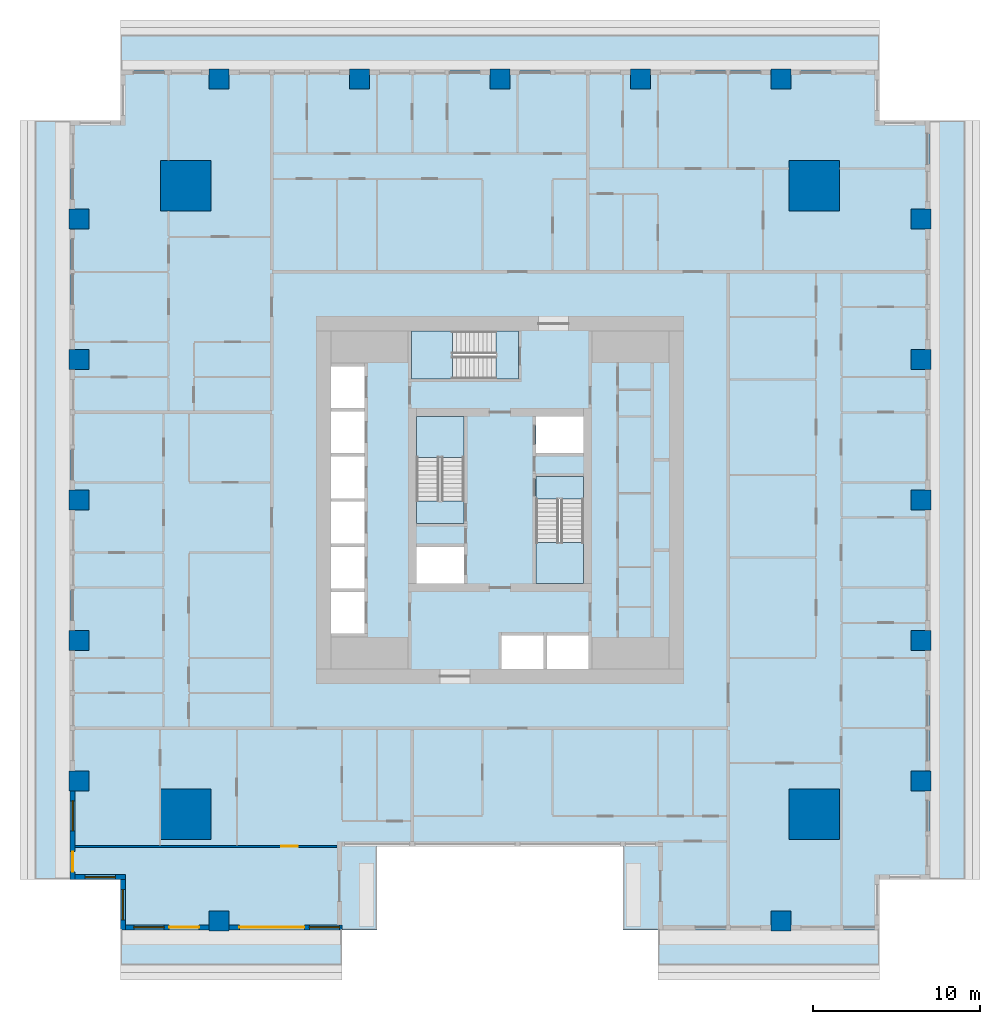
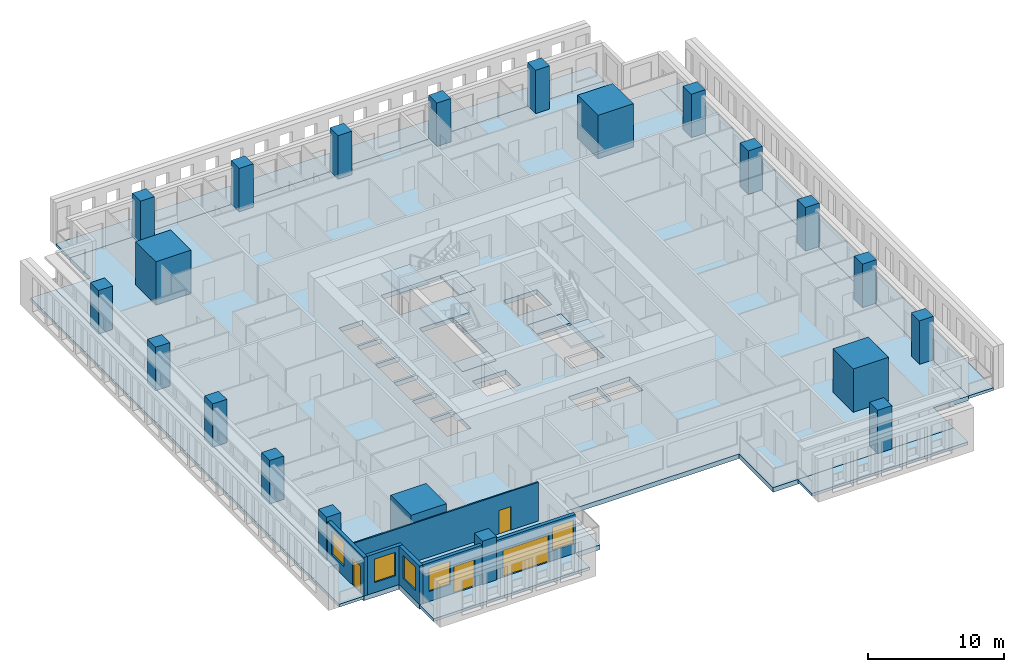
# One storey, part 1 of 15: 21 columns, 12 slabs, 6 walls, 5 windows, 4 doors, 9 openings, 3 elements without a shape of their own.
"""IFC4 building model written with IfcOpenShell, lengths in metres."""

from ifc_helpers import new_model, si_unit, direction, frame, frame_2d, origin, origin_2d, place, context, subcontext, project, spatial, polyline, rectangle, outline, extrude, material, layer, layer_set, material_profile, profile_set, type_object, element, fill, aggregate, save


model = new_model("IFC4")

# Units and contexts
model_context = context("Model", 3, precision=1e-05, world=origin(), true_north=direction((0.0, 1.0)))
body_context = subcontext(model_context, "Body", "Model", "MODEL_VIEW")
ifc_project = project(units=[si_unit("LENGTHUNIT", "METRE"), si_unit("AREAUNIT", "SQUARE_METRE"), si_unit("VOLUMEUNIT", "CUBIC_METRE"), si_unit("PLANEANGLEUNIT", "RADIAN"), si_unit("MASSUNIT", "GRAM", prefix="KILO")], contexts=[model_context])

# Site, building, storey
site_placement = place(None, origin())
site = spatial("IfcSite", under=ifc_project, at=site_placement, CompositionType="ELEMENT")
building_placement = place(site_placement, origin())
building = spatial("IfcBuilding", under=site, at=building_placement, Name="Khepri Terraces", CompositionType="ELEMENT")
storey_placement = place(building_placement, frame((0.0, 0.0, 50.39990234375)))
storey = spatial("IfcBuildingStorey", under=building, at=storey_placement, Name="L11", CompositionType="ELEMENT", Elevation=50.39990234375)

# Columns
ifc_material_1 = material(Name="Concrete C80/95", Category="concrete")
ifc_material_profile_1 = material_profile(ifc_material_1, rectangle(XDim=3.0, YDim=3.0, at=origin_2d()), Name="Concrete C80/95", Category="concrete")
ifc_profile_set_1 = profile_set([ifc_material_profile_1], Name="Concrete C80/95")
column_type_1 = type_object("IfcColumnType", Name="Mega column RC 3000x3000 C80/95", PredefinedType="COLUMN", material=ifc_profile_set_1)
for number, where, z_axis, x_axis, name in (
    (1, (18.800048828125, 18.800048828125, 0.0), (0.0, 0.0, 1.0), (1.0, 0.0, 0.0), "Mega column MEN L11"),
    (2, (18.800048828125, -18.800048828125, 0.0), (0.0, 0.0, 1.0), (1.0, 0.0, 0.0), "Mega column MES L11"),
    (3, (-18.800048828125, 18.800048828125, 0.0), (0.0, 0.0, 1.0), (1.0, 0.0, 0.0), "Mega column MWN L11"),
    (4, (-18.800048828125, -18.800048828125, 0.0), (0.0, 0.0, 1.0), (1.0, 0.0, 0.0), "Mega column MWS L11"),
):
    element("IfcColumn", number, at=place(storey_placement, frame(where, z_axis=z_axis, x_axis=x_axis)), inside=storey, type_object=column_type_1, Name=name, PredefinedType="COLUMN", context=body_context, shape_type="SweptSolid", body=[
        extrude(rectangle(XDim=3.0, YDim=3.0, at=origin_2d()), origin(), (0.0, 0.0, 1.0), 3.900146484375),
    ])
ifc_material_profile_2 = material_profile(ifc_material_1, rectangle(XDim=1.199951171875, YDim=1.199951171875, at=origin_2d()), Name="Concrete C80/95", Category="concrete")
ifc_profile_set_2 = profile_set([ifc_material_profile_2], Name="Concrete C80/95")
column_type_2 = type_object("IfcColumnType", Name="Tower column RC 1200x1200 C80/95", PredefinedType="COLUMN", material=ifc_profile_set_2)
for number, where, z_axis, x_axis, name in (
    (5, (25.199951171875, 0.0, 0.0), (0.0, 0.0, 1.0), (1.0, 0.0, 0.0), "Perimeter column PE+000a L11"),
    (6, (25.199951171875, 8.39990234375, 0.0), (0.0, 0.0, 1.0), (1.0, 0.0, 0.0), "Perimeter column PE+084a L11"),
    (7, (25.199951171875, 16.800048828125, 0.0), (0.0, 0.0, 1.0), (1.0, 0.0, 0.0), "Perimeter column PE+168a L11"),
    (8, (25.199951171875, -8.39990234375, 0.0), (0.0, 0.0, 1.0), (1.0, 0.0, 0.0), "Perimeter column PE-084a L11"),
    (9, (25.199951171875, -16.800048828125, 0.0), (0.0, 0.0, 1.0), (1.0, 0.0, 0.0), "Perimeter column PE-168a L11"),
    (10, (0.0, 25.199951171875, 0.0), (0.0, 0.0, 1.0), (1.0, 0.0, 0.0), "Perimeter column PN+000a L11"),
    (11, (-8.39990234375, 25.199951171875, 0.0), (0.0, 0.0, 1.0), (1.0, 0.0, 0.0), "Perimeter column PN+084a L11"),
    (12, (-16.800048828125, 25.199951171875, 0.0), (0.0, 0.0, 1.0), (1.0, 0.0, 0.0), "Perimeter column PN+168a L11"),
    (13, (8.39990234375, 25.199951171875, 0.0), (0.0, 0.0, 1.0), (1.0, 0.0, 0.0), "Perimeter column PN-084a L11"),
    (14, (16.800048828125, 25.199951171875, 0.0), (0.0, 0.0, 1.0), (1.0, 0.0, 0.0), "Perimeter column PN-168a L11"),
    (15, (16.800048828125, -25.199951171875, 0.0), (0.0, 0.0, 1.0), (1.0, 0.0, 0.0), "Perimeter column PS+168a L11"),
    (16, (-16.800048828125, -25.199951171875, 0.0), (0.0, 0.0, 1.0), (1.0, 0.0, 0.0), "Perimeter column PS-168a L11"),
    (17, (-25.199951171875, 0.0, 0.0), (0.0, 0.0, 1.0), (1.0, 0.0, 0.0), "Perimeter column PW+000a L11"),
    (18, (-25.199951171875, -8.39990234375, 0.0), (0.0, 0.0, 1.0), (1.0, 0.0, 0.0), "Perimeter column PW+084a L11"),
    (19, (-25.199951171875, -16.800048828125, 0.0), (0.0, 0.0, 1.0), (1.0, 0.0, 0.0), "Perimeter column PW+168a L11"),
    (20, (-25.199951171875, 8.39990234375, 0.0), (0.0, 0.0, 1.0), (1.0, 0.0, 0.0), "Perimeter column PW-084a L11"),
    (21, (-25.199951171875, 16.800048828125, 0.0), (0.0, 0.0, 1.0), (1.0, 0.0, 0.0), "Perimeter column PW-168a L11"),
):
    element("IfcColumn", number, at=place(storey_placement, frame(where, z_axis=z_axis, x_axis=x_axis)), inside=storey, type_object=column_type_2, Name=name, PredefinedType="COLUMN", context=body_context, shape_type="SweptSolid", body=[
        extrude(rectangle(XDim=1.199951171875, YDim=1.199951171875, at=origin_2d()), origin(), (0.0, 0.0, 1.0), 3.900146484375),
    ])

# Slabs
ifc_material_2 = material(Name="Concrete C40/50", Category="concrete")
ifc_layer_1 = layer(ifc_material_2, 0.419921875, Name="Concrete C40/50", Category="concrete")
ifc_layer_set_1 = layer_set([ifc_layer_1], Name="Concrete C40/50")
slab_type_1 = type_object("IfcSlabType", Name="Flat plate 420", PredefinedType="FLOOR", material=ifc_layer_set_1)
slab_1_placement = place(storey_placement, frame((0.0, 0.0, -0.419921875)))
element("IfcSlab", 22, at=slab_1_placement, inside=storey, type_object=slab_type_1, Name="Floor slab F01 L11", PredefinedType="FLOOR", context=body_context, shape_type="SweptSolid", body=[
    extrude(outline(polyline([(22.719970703125, -25.719970703125), (9.449951171875, -25.719970703125), (7.35009765625, -25.719970703125), (7.35009765625, -20.719970703125), (-7.35009765625, -20.719970703125), (-7.35009765625, -25.719970703125), (-9.449951171875, -25.719970703125), (-22.719970703125, -25.719970703125), (-22.719970703125, -22.719970703125), (-25.719970703125, -22.719970703125), (-25.719970703125, 22.719970703125), (-22.719970703125, 22.719970703125), (-22.719970703125, 25.719970703125), (22.719970703125, 25.719970703125), (22.719970703125, 22.719970703125), (25.719970703125, 22.719970703125), (25.719970703125, -22.719970703125), (22.719970703125, -22.719970703125), (22.719970703125, -25.719970703125)]), holes=[polyline([(5.0, 5.0), (2.14990234375, 5.0), (2.14990234375, 2.800048828125), (5.0, 2.800048828125), (5.0, 5.0)]), polyline([(-2.14990234375, -5.0), (-2.14990234375, -2.800048828125), (-5.0, -2.800048828125), (-5.0, -5.0), (-2.14990234375, -5.0)]), polyline([(-10.10009765625, -8.0), (-8.10009765625, -8.0), (-8.10009765625, -5.5), (-10.10009765625, -5.5), (-10.10009765625, -8.0)]), polyline([(-10.10009765625, -2.800048828125), (-10.10009765625, -5.300048828125), (-8.10009765625, -5.300048828125), (-8.10009765625, -2.800048828125), (-10.10009765625, -2.800048828125)]), polyline([(-8.10009765625, -0.10009765625), (-10.10009765625, -0.10009765625), (-10.10009765625, -2.60009765625), (-8.10009765625, -2.60009765625), (-8.10009765625, -0.10009765625)]), polyline([(-8.10009765625, 0.10009765625), (-8.10009765625, 2.60009765625), (-10.10009765625, 2.60009765625), (-10.10009765625, 0.10009765625), (-8.10009765625, 0.10009765625)]), polyline([(-10.10009765625, 2.800048828125), (-8.10009765625, 2.800048828125), (-8.10009765625, 5.300048828125), (-10.10009765625, 5.300048828125), (-10.10009765625, 2.800048828125)]), polyline([(-10.10009765625, 8.0), (-10.10009765625, 5.5), (-8.10009765625, 5.5), (-8.10009765625, 8.0), (-10.10009765625, 8.0)]), polyline([(2.60009765625, -8.10009765625), (0.10009765625, -8.10009765625), (0.10009765625, -10.10009765625), (2.60009765625, -10.10009765625), (2.60009765625, -8.10009765625)]), polyline([(5.300048828125, -10.10009765625), (5.300048828125, -8.10009765625), (2.800048828125, -8.10009765625), (2.800048828125, -10.10009765625), (5.300048828125, -10.10009765625)]), polyline([(-5.0, -1.39990234375), (-2.14990234375, -1.39990234375), (-2.14990234375, 5.0), (-5.0, 5.0), (-5.0, -1.39990234375)]), polyline([(5.0, -5.0), (5.0, 1.39990234375), (2.14990234375, 1.39990234375), (2.14990234375, -5.0), (5.0, -5.0)]), polyline([(-5.300048828125, 10.10009765625), (-5.300048828125, 7.25), (1.10009765625, 7.25), (1.10009765625, 10.10009765625), (-5.300048828125, 10.10009765625)])]), origin(), (0.0, 0.0, 1.0), 0.419921875),
])
ifc_material_3 = material(Name="Precast concrete C50/60 warm stone", Category="masonry")
ifc_layer_2 = layer(ifc_material_3, 0.25, Name="Precast concrete C50/60 warm stone", Category="masonry")
ifc_layer_set_2 = layer_set([ifc_layer_2], Name="Precast concrete C50/60 warm stone")
slab_type_2 = type_object("IfcSlabType", Name="SLB-BALCONY-250", PredefinedType="FLOOR", material=ifc_layer_set_2)
slab_2_placement = place(storey_placement, frame((0.0, 0.0, -0.25)))
element("IfcSlab", 23, at=slab_2_placement, inside=storey, type_object=slab_type_2, Name="Balcony slab L11 S", PredefinedType="FLOOR", context=body_context, shape_type="SweptSolid", body=[
    extrude(outline(polyline([(-17.39990234375, -25.719970703125), (-22.719970703125, -25.719970703125), (-22.719970703125, -27.820068359375), (-9.449951171875, -27.820068359375), (-9.449951171875, -25.719970703125), (-16.199951171875, -25.719970703125), (-16.199951171875, -25.800048828125), (-17.39990234375, -25.800048828125), (-17.39990234375, -25.719970703125)])), origin(), (0.0, 0.0, 1.0), 0.25),
])
slab_3_placement = place(storey_placement, frame((0.0, 0.0, -0.25)))
element("IfcSlab", 24, at=slab_3_placement, inside=storey, type_object=slab_type_2, Name="Balcony slab L11 S", PredefinedType="FLOOR", context=body_context, shape_type="SweptSolid", body=[
    extrude(outline(polyline([(16.199951171875, -25.719970703125), (9.449951171875, -25.719970703125), (9.449951171875, -27.820068359375), (22.719970703125, -27.820068359375), (22.719970703125, -25.719970703125), (17.39990234375, -25.719970703125), (17.39990234375, -25.800048828125), (16.199951171875, -25.800048828125), (16.199951171875, -25.719970703125)])), origin(), (0.0, 0.0, 1.0), 0.25),
])
slab_4_placement = place(storey_placement, frame((0.0, 0.0, -0.25)))
element("IfcSlab", 25, at=slab_4_placement, inside=storey, type_object=slab_type_2, Name="Balcony slab L11 E", PredefinedType="FLOOR", context=body_context, shape_type="SweptSolid", body=[
    extrude(outline(polyline([(25.719970703125, -17.39990234375), (25.719970703125, -22.719970703125), (27.820068359375, -22.719970703125), (27.820068359375, 22.719970703125), (25.719970703125, 22.719970703125), (25.719970703125, 17.39990234375), (25.800048828125, 17.39990234375), (25.800048828125, 16.199951171875), (25.719970703125, 16.199951171875), (25.719970703125, 9.0), (25.800048828125, 9.0), (25.800048828125, 7.800048828125), (25.719970703125, 7.800048828125), (25.719970703125, 0.60009765625), (25.800048828125, 0.60009765625), (25.800048828125, -0.60009765625), (25.719970703125, -0.60009765625), (25.719970703125, -7.800048828125), (25.800048828125, -7.800048828125), (25.800048828125, -9.0), (25.719970703125, -9.0), (25.719970703125, -16.199951171875), (25.800048828125, -16.199951171875), (25.800048828125, -17.39990234375), (25.719970703125, -17.39990234375)])), origin(), (0.0, 0.0, 1.0), 0.25),
])
slab_5_placement = place(storey_placement, frame((0.0, 0.0, -0.25)))
element("IfcSlab", 26, at=slab_5_placement, inside=storey, type_object=slab_type_2, Name="Balcony slab L11 N", PredefinedType="FLOOR", context=body_context, shape_type="SweptSolid", body=[
    extrude(outline(polyline([(17.39990234375, 25.719970703125), (22.719970703125, 25.719970703125), (22.719970703125, 27.820068359375), (-22.719970703125, 27.820068359375), (-22.719970703125, 25.719970703125), (-17.39990234375, 25.719970703125), (-17.39990234375, 25.800048828125), (-16.199951171875, 25.800048828125), (-16.199951171875, 25.719970703125), (-9.0, 25.719970703125), (-9.0, 25.800048828125), (-7.800048828125, 25.800048828125), (-7.800048828125, 25.719970703125), (-0.60009765625, 25.719970703125), (-0.60009765625, 25.800048828125), (0.60009765625, 25.800048828125), (0.60009765625, 25.719970703125), (7.800048828125, 25.719970703125), (7.800048828125, 25.800048828125), (9.0, 25.800048828125), (9.0, 25.719970703125), (16.199951171875, 25.719970703125), (16.199951171875, 25.800048828125), (17.39990234375, 25.800048828125), (17.39990234375, 25.719970703125)])), origin(), (0.0, 0.0, 1.0), 0.25),
])
slab_6_placement = place(storey_placement, frame((0.0, 0.0, -0.25)))
element("IfcSlab", 27, at=slab_6_placement, inside=storey, type_object=slab_type_2, Name="Balcony slab L11 W", PredefinedType="FLOOR", context=body_context, shape_type="SweptSolid", body=[
    extrude(outline(polyline([(-25.719970703125, 17.39990234375), (-25.719970703125, 22.719970703125), (-27.820068359375, 22.719970703125), (-27.820068359375, -22.719970703125), (-25.719970703125, -22.719970703125), (-25.719970703125, -17.39990234375), (-25.800048828125, -17.39990234375), (-25.800048828125, -16.199951171875), (-25.719970703125, -16.199951171875), (-25.719970703125, -9.0), (-25.800048828125, -9.0), (-25.800048828125, -7.800048828125), (-25.719970703125, -7.800048828125), (-25.719970703125, -0.60009765625), (-25.800048828125, -0.60009765625), (-25.800048828125, 0.60009765625), (-25.719970703125, 0.60009765625), (-25.719970703125, 7.800048828125), (-25.800048828125, 7.800048828125), (-25.800048828125, 9.0), (-25.719970703125, 9.0), (-25.719970703125, 16.199951171875), (-25.800048828125, 16.199951171875), (-25.800048828125, 17.39990234375), (-25.719970703125, 17.39990234375)])), origin(), (0.0, 0.0, 1.0), 0.25),
])

# Stair, slabs
stair_type = type_object("IfcStairType", Name="STAIR-RC-22R", PredefinedType="HALF_TURN_STAIR", material=ifc_material_2)
stair_1_placement = place(storey_placement, origin())
stair_1 = element("IfcStair", 28, at=stair_1_placement, inside=storey, type_object=stair_type, Name="L11 Exit Stair ST-1", PredefinedType="HALF_TURN_STAIR")
ifc_layer_3 = layer(ifc_material_2, 0.199951171875, Name="Concrete C40/50", Category="concrete")
ifc_layer_set_3 = layer_set([ifc_layer_3], Name="Concrete C40/50")
slab_type_3 = type_object("IfcSlabType", Name="SLB-CORE-LANDING", PredefinedType="LANDING", material=ifc_layer_set_3)
slab_7_placement = place(storey_placement, frame((0.0, 0.0, -0.199951171875)))
slab_7 = element("IfcSlab", 29, at=slab_7_placement, type_object=slab_type_3, Name="ST-1 landing 1", PredefinedType="LANDING", context=body_context, shape_type="SweptSolid", body=[
    extrude(outline(polyline([(-2.14990234375, -1.39990234375), (-2.14990234375, -0.050048828125), (-5.0, -0.050048828125), (-5.0, -1.39990234375), (-2.14990234375, -1.39990234375)])), origin(), (0.0, 0.0, 1.0), 0.199951171875),
])
slab_8_placement = place(storey_placement, frame((0.0, 0.0, 1.75)))
slab_8 = element("IfcSlab", 30, at=slab_8_placement, type_object=slab_type_3, Name="ST-1 landing 2", PredefinedType="LANDING", context=body_context, shape_type="SweptSolid", body=[
    extrude(outline(polyline([(-2.14990234375, 2.550048828125), (-2.14990234375, 5.0), (-5.0, 5.0), (-5.0, 2.550048828125), (-2.14990234375, 2.550048828125)])), origin(), (0.0, 0.0, 1.0), 0.2001953125),
])
aggregate(stair_1, [slab_7, slab_8])

stair_2_placement = place(storey_placement, origin())
stair_2 = element("IfcStair", 31, at=stair_2_placement, inside=storey, type_object=stair_type, Name="L11 Exit Stair ST-2", PredefinedType="HALF_TURN_STAIR")
slab_9_placement = place(storey_placement, frame((0.0, 0.0, -0.199951171875)))
slab_9 = element("IfcSlab", 32, at=slab_9_placement, type_object=slab_type_3, Name="ST-2 landing 1", PredefinedType="LANDING", context=body_context, shape_type="SweptSolid", body=[
    extrude(outline(polyline([(2.14990234375, 1.39990234375), (2.14990234375, 0.050048828125), (5.0, 0.050048828125), (5.0, 1.39990234375), (2.14990234375, 1.39990234375)])), origin(), (0.0, 0.0, 1.0), 0.199951171875),
])
slab_10_placement = place(storey_placement, frame((0.0, 0.0, 1.75)))
slab_10 = element("IfcSlab", 33, at=slab_10_placement, type_object=slab_type_3, Name="ST-2 landing 2", PredefinedType="LANDING", context=body_context, shape_type="SweptSolid", body=[
    extrude(outline(polyline([(2.14990234375, -2.550048828125), (2.14990234375, -5.0), (5.0, -5.0), (5.0, -2.550048828125), (2.14990234375, -2.550048828125)])), origin(), (0.0, 0.0, 1.0), 0.2001953125),
])
aggregate(stair_2, [slab_9, slab_10])

stair_3_placement = place(storey_placement, origin())
stair_3 = element("IfcStair", 34, at=stair_3_placement, inside=storey, type_object=stair_type, Name="L11 Exit Stair ST-3", PredefinedType="HALF_TURN_STAIR")
slab_11_placement = place(storey_placement, frame((0.0, 0.0, -0.199951171875)))
slab_11 = element("IfcSlab", 35, at=slab_11_placement, type_object=slab_type_3, Name="ST-3 landing 1", PredefinedType="LANDING", context=body_context, shape_type="SweptSolid", body=[
    extrude(outline(polyline([(1.10009765625, 10.10009765625), (-0.25, 10.10009765625), (-0.25, 7.25), (1.10009765625, 7.25), (1.10009765625, 10.10009765625)])), origin(), (0.0, 0.0, 1.0), 0.199951171875),
])
slab_12_placement = place(storey_placement, frame((0.0, 0.0, 1.75)))
slab_12 = element("IfcSlab", 36, at=slab_12_placement, type_object=slab_type_3, Name="ST-3 landing 2", PredefinedType="LANDING", context=body_context, shape_type="SweptSolid", body=[
    extrude(outline(polyline([(-2.85009765625, 10.10009765625), (-5.300048828125, 10.10009765625), (-5.300048828125, 7.25), (-2.85009765625, 7.25), (-2.85009765625, 10.10009765625)])), origin(), (0.0, 0.0, 1.0), 0.2001953125),
])
aggregate(stair_3, [slab_11, slab_12])

# Wall, openings, door, window
ifc_layer_4 = layer(ifc_material_3, 0.300048828125, Name="Precast concrete C50/60 warm stone", Category="masonry")
ifc_layer_set_4 = layer_set([ifc_layer_4], Name="Precast concrete C50/60 warm stone")
wall_type_1 = type_object("IfcWallType", Name="WL-EXT-PRECAST-300", PredefinedType="STANDARD", material=ifc_layer_set_4)
wall_1_placement = place(storey_placement, frame((-25.570068359375, -17.39990234375, 0.0), z_axis=(0.0, 0.0, 1.0), x_axis=(0.0, -1.0, 0.0)))
wall_1 = element("IfcWall", 37, at=wall_1_placement, inside=storey, type_object=wall_type_1, Name="External wall L11 W", PredefinedType="STANDARD", context=body_context, shape_type="SweptSolid", body=[
    extrude(rectangle(XDim=5.320068359375, YDim=0.300048828125, at=frame_2d((2.66015625, 0.0))), origin(), (0.0, 0.0, 1.0), 3.47998046875),
])
opening_1_placement = place(wall_1_placement, frame((0.60009765625, 0.0, 0.89990234375)))
opening_1 = element("IfcOpeningElement", 38, at=opening_1_placement, cuts=wall_1, Name="Opening W1", PredefinedType="OPENING", context=body_context, shape_type="SweptSolid", body=[
    extrude(rectangle(XDim=1.800048828125, YDim=2.10009765625, at=frame_2d((0.89990234375, 1.050048828125))), frame((0.0, 0.16015625, 0.0), z_axis=(0.0, -1.0, 0.0), x_axis=(1.0, 0.0, 0.0)), (0.0, 0.0, 1.0), 0.320068359375),
])
opening_2_placement = place(wall_1_placement, frame((3.64501953125, 0.0, 0.0)))
opening_2 = element("IfcOpeningElement", 39, at=opening_2_placement, cuts=wall_1, Name="Opening ED-L11-16", PredefinedType="OPENING", context=body_context, shape_type="SweptSolid", body=[
    extrude(rectangle(XDim=1.199951171875, YDim=2.39990234375, at=frame_2d((0.60009765625, 1.199951171875))), frame((0.0, 0.16015625, 0.0), z_axis=(0.0, -1.0, 0.0), x_axis=(1.0, 0.0, 0.0)), (0.0, 0.0, 1.0), 0.320068359375),
])
ifc_material_4 = material(Name="Anodised aluminium bronze glazed door", Category="aluminium")
door_type_1 = type_object("IfcDoorType", Name="DR-BAL-SLIDE-1200x2400", OperationType="NOTDEFINED", PredefinedType="DOOR", material=ifc_material_4)
door_1_placement = place(opening_2_placement, origin())
door_1 = element("IfcDoor", 40, at=door_1_placement, inside=storey, type_object=door_type_1, Name="Balcony door L11 W", OperationType="SLIDING_TO_RIGHT", OverallHeight=2.39990234375, OverallWidth=1.199951171875, PredefinedType="DOOR", context=body_context, shape_type="SweptSolid", body=[
    extrude(rectangle(XDim=1.199951171875, YDim=2.39990234375, at=frame_2d((0.60009765625, 1.199951171875))), frame((0.0, 0.02490234375, 0.0), z_axis=(0.0, -1.0, 0.0), x_axis=(1.0, 0.0, 0.0)), (0.0, 0.0, 1.0), 0.050048828125),
])
fill(opening_2, door_1)
ifc_material_5 = material(Name="Clear glass", Category="glass")
window_type = type_object("IfcWindowType", Name="WIN-RES-1800x2100", PartitioningType="SINGLE_PANEL", PredefinedType="WINDOW", material=ifc_material_5)
window_1_placement = place(opening_1_placement, origin())
window_1 = element("IfcWindow", 41, at=window_1_placement, inside=storey, type_object=window_type, Name="Window L11 W", OverallHeight=2.10009765625, OverallWidth=1.800048828125, PartitioningType="SINGLE_PANEL", PredefinedType="WINDOW", context=body_context, shape_type="SweptSolid", body=[
    extrude(rectangle(XDim=1.800048828125, YDim=2.10009765625, at=frame_2d((0.89990234375, 1.050048828125))), frame((0.0, 0.030029296875, 0.0), z_axis=(0.0, -1.0, 0.0), x_axis=(1.0, 0.0, 0.0)), (0.0, 0.0, 1.0), 0.06005859375),
])
fill(opening_1, window_1)

# Wall, opening, window
wall_2_placement = place(storey_placement, frame((-25.419921875, -22.570068359375, 0.0), z_axis=(0.0, 0.0, 1.0), x_axis=(1.0, 0.0, 0.0)))
wall_2 = element("IfcWall", 42, at=wall_2_placement, inside=storey, type_object=wall_type_1, Name="External wall L11 S", PredefinedType="STANDARD", context=body_context, shape_type="SweptSolid", body=[
    extrude(rectangle(XDim=3.0, YDim=0.300048828125, at=frame_2d((1.5, 0.0))), origin(), (0.0, 0.0, 1.0), 3.47998046875),
])
opening_3_placement = place(wall_2_placement, frame((0.60009765625, 0.0, 0.89990234375)))
opening_3 = element("IfcOpeningElement", 43, at=opening_3_placement, cuts=wall_2, Name="Opening W1", PredefinedType="OPENING", context=body_context, shape_type="SweptSolid", body=[
    extrude(rectangle(XDim=1.800048828125, YDim=2.10009765625, at=frame_2d((0.89990234375, 1.050048828125))), frame((0.0, 0.16015625, 0.0), z_axis=(0.0, -1.0, 0.0), x_axis=(1.0, 0.0, 0.0)), (0.0, 0.0, 1.0), 0.320068359375),
])
window_2_placement = place(opening_3_placement, origin())
window_2 = element("IfcWindow", 44, at=window_2_placement, inside=storey, type_object=window_type, Name="Window L11 S", OverallHeight=2.10009765625, OverallWidth=1.800048828125, PartitioningType="SINGLE_PANEL", PredefinedType="WINDOW", context=body_context, shape_type="SweptSolid", body=[
    extrude(rectangle(XDim=1.800048828125, YDim=2.10009765625, at=frame_2d((0.89990234375, 1.050048828125))), frame((0.0, 0.030029296875, 0.0), z_axis=(0.0, -1.0, 0.0), x_axis=(1.0, 0.0, 0.0)), (0.0, 0.0, 1.0), 0.06005859375),
])
fill(opening_3, window_2)

wall_3_placement = place(storey_placement, frame((-22.570068359375, -22.719970703125, 0.0), z_axis=(0.0, 0.0, 1.0), x_axis=(0.0, -1.0, 0.0)))
wall_3 = element("IfcWall", 45, at=wall_3_placement, inside=storey, type_object=wall_type_1, Name="External wall L11 W", PredefinedType="STANDARD", context=body_context, shape_type="SweptSolid", body=[
    extrude(rectangle(XDim=3.0, YDim=0.300048828125, at=frame_2d((1.5, 0.0))), origin(), (0.0, 0.0, 1.0), 3.47998046875),
])
opening_4_placement = place(wall_3_placement, frame((0.60009765625, 0.0, 0.89990234375)))
opening_4 = element("IfcOpeningElement", 46, at=opening_4_placement, cuts=wall_3, Name="Opening W1", PredefinedType="OPENING", context=body_context, shape_type="SweptSolid", body=[
    extrude(rectangle(XDim=1.800048828125, YDim=2.10009765625, at=frame_2d((0.89990234375, 1.050048828125))), frame((0.0, 0.16015625, 0.0), z_axis=(0.0, -1.0, 0.0), x_axis=(1.0, 0.0, 0.0)), (0.0, 0.0, 1.0), 0.320068359375),
])
window_3_placement = place(opening_4_placement, origin())
window_3 = element("IfcWindow", 47, at=window_3_placement, inside=storey, type_object=window_type, Name="Window L11 W", OverallHeight=2.10009765625, OverallWidth=1.800048828125, PartitioningType="SINGLE_PANEL", PredefinedType="WINDOW", context=body_context, shape_type="SweptSolid", body=[
    extrude(rectangle(XDim=1.800048828125, YDim=2.10009765625, at=frame_2d((0.89990234375, 1.050048828125))), frame((0.0, 0.030029296875, 0.0), z_axis=(0.0, -1.0, 0.0), x_axis=(1.0, 0.0, 0.0)), (0.0, 0.0, 1.0), 0.06005859375),
])
fill(opening_4, window_3)

# Wall, openings, door, window
wall_4_placement = place(storey_placement, frame((-22.419921875, -25.570068359375, 0.0), z_axis=(0.0, 0.0, 1.0), x_axis=(1.0, 0.0, 0.0)))
wall_4 = element("IfcWall", 48, at=wall_4_placement, inside=storey, type_object=wall_type_1, Name="External wall L11 S", PredefinedType="STANDARD", context=body_context, shape_type="SweptSolid", body=[
    extrude(rectangle(XDim=5.02001953125, YDim=0.300048828125, at=frame_2d((2.510009765625, 0.0))), origin(), (0.0, 0.0, 1.0), 3.47998046875),
])
opening_5_placement = place(wall_4_placement, frame((0.52001953125, 0.0, 0.89990234375)))
opening_5 = element("IfcOpeningElement", 49, at=opening_5_placement, cuts=wall_4, Name="Opening W1", PredefinedType="OPENING", context=body_context, shape_type="SweptSolid", body=[
    extrude(rectangle(XDim=1.800048828125, YDim=2.10009765625, at=frame_2d((0.89990234375, 1.050048828125))), frame((0.0, 0.16015625, 0.0), z_axis=(0.0, -1.0, 0.0), x_axis=(1.0, 0.0, 0.0)), (0.0, 0.0, 1.0), 0.320068359375),
])
opening_6_placement = place(wall_4_placement, frame((2.6201171875, 0.0, 0.0)))
opening_6 = element("IfcOpeningElement", 50, at=opening_6_placement, cuts=wall_4, Name="Opening ED-L11-17", PredefinedType="OPENING", context=body_context, shape_type="SweptSolid", body=[
    extrude(rectangle(XDim=1.800048828125, YDim=2.39990234375, at=frame_2d((0.89990234375, 1.199951171875))), frame((0.0, 0.16015625, 0.0), z_axis=(0.0, -1.0, 0.0), x_axis=(1.0, 0.0, 0.0)), (0.0, 0.0, 1.0), 0.320068359375),
])
door_type_2 = type_object("IfcDoorType", Name="DR-BAL-SLIDE-1800x2400", OperationType="NOTDEFINED", PredefinedType="DOOR", material=ifc_material_4)
door_2_placement = place(opening_6_placement, origin())
door_2 = element("IfcDoor", 51, at=door_2_placement, inside=storey, type_object=door_type_2, Name="Balcony door L11 S", OperationType="SLIDING_TO_RIGHT", OverallHeight=2.39990234375, OverallWidth=1.800048828125, PredefinedType="DOOR", context=body_context, shape_type="SweptSolid", body=[
    extrude(rectangle(XDim=1.800048828125, YDim=2.39990234375, at=frame_2d((0.89990234375, 1.199951171875))), frame((0.0, 0.02490234375, 0.0), z_axis=(0.0, -1.0, 0.0), x_axis=(1.0, 0.0, 0.0)), (0.0, 0.0, 1.0), 0.050048828125),
])
fill(opening_6, door_2)
window_4_placement = place(opening_5_placement, origin())
window_4 = element("IfcWindow", 52, at=window_4_placement, inside=storey, type_object=window_type, Name="Window L11 S", OverallHeight=2.10009765625, OverallWidth=1.800048828125, PartitioningType="SINGLE_PANEL", PredefinedType="WINDOW", context=body_context, shape_type="SweptSolid", body=[
    extrude(rectangle(XDim=1.800048828125, YDim=2.10009765625, at=frame_2d((0.89990234375, 1.050048828125))), frame((0.0, 0.030029296875, 0.0), z_axis=(0.0, -1.0, 0.0), x_axis=(1.0, 0.0, 0.0)), (0.0, 0.0, 1.0), 0.06005859375),
])
fill(opening_5, window_4)

wall_5_placement = place(storey_placement, frame((-16.199951171875, -25.570068359375, 0.0), z_axis=(0.0, 0.0, 1.0), x_axis=(1.0, 0.0, 0.0)))
wall_5 = element("IfcWall", 53, at=wall_5_placement, inside=storey, type_object=wall_type_1, Name="External wall L11 S", PredefinedType="STANDARD", context=body_context, shape_type="SweptSolid", body=[
    extrude(rectangle(XDim=6.75, YDim=0.300048828125, at=frame_2d((3.375, 0.0))), origin(), (0.0, 0.0, 1.0), 3.47998046875),
])
opening_7_placement = place(wall_5_placement, frame((0.60009765625, 0.0, 0.0)))
opening_7 = element("IfcOpeningElement", 54, at=opening_7_placement, cuts=wall_5, Name="Opening ED-L11-18", PredefinedType="OPENING", context=body_context, shape_type="SweptSolid", body=[
    extrude(rectangle(XDim=3.89990234375, YDim=2.39990234375, at=frame_2d((1.949951171875, 1.199951171875))), frame((0.0, 0.16015625, 0.0), z_axis=(0.0, -1.0, 0.0), x_axis=(1.0, 0.0, 0.0)), (0.0, 0.0, 1.0), 0.320068359375),
])
opening_8_placement = place(wall_5_placement, frame((4.800048828125, 0.0, 0.89990234375)))
opening_8 = element("IfcOpeningElement", 55, at=opening_8_placement, cuts=wall_5, Name="Opening W1", PredefinedType="OPENING", context=body_context, shape_type="SweptSolid", body=[
    extrude(rectangle(XDim=1.800048828125, YDim=2.10009765625, at=frame_2d((0.89990234375, 1.050048828125))), frame((0.0, 0.16015625, 0.0), z_axis=(0.0, -1.0, 0.0), x_axis=(1.0, 0.0, 0.0)), (0.0, 0.0, 1.0), 0.320068359375),
])
door_type_3 = type_object("IfcDoorType", Name="DR-BAL-SLIDE-3900x2400", OperationType="NOTDEFINED", PredefinedType="DOOR", material=ifc_material_4)
door_3_placement = place(opening_7_placement, origin())
door_3 = element("IfcDoor", 56, at=door_3_placement, inside=storey, type_object=door_type_3, Name="Balcony door L11 S", OperationType="SLIDING_TO_LEFT", OverallHeight=2.39990234375, OverallWidth=3.89990234375, PredefinedType="DOOR", context=body_context, shape_type="SweptSolid", body=[
    extrude(rectangle(XDim=3.89990234375, YDim=2.39990234375, at=frame_2d((1.949951171875, 1.199951171875))), frame((0.0, 0.02490234375, 0.0), z_axis=(0.0, -1.0, 0.0), x_axis=(1.0, 0.0, 0.0)), (0.0, 0.0, 1.0), 0.050048828125),
])
fill(opening_7, door_3)
window_5_placement = place(opening_8_placement, origin())
window_5 = element("IfcWindow", 57, at=window_5_placement, inside=storey, type_object=window_type, Name="Window L11 S", OverallHeight=2.10009765625, OverallWidth=1.800048828125, PartitioningType="SINGLE_PANEL", PredefinedType="WINDOW", context=body_context, shape_type="SweptSolid", body=[
    extrude(rectangle(XDim=1.800048828125, YDim=2.10009765625, at=frame_2d((0.89990234375, 1.050048828125))), frame((0.0, 0.030029296875, 0.0), z_axis=(0.0, -1.0, 0.0), x_axis=(1.0, 0.0, 0.0)), (0.0, 0.0, 1.0), 0.06005859375),
])
fill(opening_8, window_5)

# Wall, opening, door
ifc_material_6 = material(Name="Gypsum plasterboard partition")
ifc_layer_5 = layer(ifc_material_6, 0.1201171875, Name="Gypsum plasterboard partition")
ifc_layer_set_5 = layer_set([ifc_layer_5], Name="Gypsum plasterboard partition")
wall_type_2 = type_object("IfcWallType", Name="WL-PART-120", PredefinedType="PARTITIONING", material=ifc_layer_set_5)
wall_6_placement = place(storey_placement, frame((-25.419921875, -20.719970703125, 0.0), z_axis=(0.0, 0.0, 1.0), x_axis=(1.0, 0.0, 0.0)))
wall_6 = element("IfcWall", 58, at=wall_6_placement, inside=storey, type_object=wall_type_2, Name="Partition P-003 L11", PredefinedType="PARTITIONING", context=body_context, shape_type="SweptSolid", body=[
    extrude(rectangle(XDim=15.669921875, YDim=0.1201171875, at=frame_2d((7.8349609375, 0.0))), origin(), (0.0, 0.0, 1.0), 3.47998046875),
])
opening_9_placement = place(wall_6_placement, frame((12.320068359375, 0.0, 0.0)))
opening_9 = element("IfcOpeningElement", 59, at=opening_9_placement, cuts=wall_6, Name="Opening D2", PredefinedType="OPENING", context=body_context, shape_type="SweptSolid", body=[
    extrude(rectangle(XDim=1.0, YDim=2.10009765625, at=frame_2d((0.5, 1.050048828125))), frame((0.0, 0.070068359375, 0.0), z_axis=(0.0, -1.0, 0.0), x_axis=(1.0, 0.0, 0.0)), (0.0, 0.0, 1.0), 0.14013671875),
])
ifc_material_7 = material(Name="Timber door leaf, living room door", Category="wood")
door_type_4 = type_object("IfcDoorType", Name="DR-INT-1000", OperationType="NOTDEFINED", PredefinedType="DOOR", material=ifc_material_7)
door_4_placement = place(opening_9_placement, frame((1.0, 0.0, 0.0), z_axis=(0.0, 0.0, 1.0), x_axis=(-1.0, 0.0, 0.0)))
door_4 = element("IfcDoor", 60, at=door_4_placement, inside=storey, type_object=door_type_4, Name="Door Living Room", OperationType="SINGLE_SWING_LEFT", OverallHeight=2.10009765625, OverallWidth=1.0, PredefinedType="DOOR", context=body_context, shape_type="SweptSolid", body=[
    extrude(rectangle(XDim=1.0, YDim=2.10009765625, at=frame_2d((0.5, 1.050048828125))), frame((0.0, 0.02490234375, 0.0), z_axis=(0.0, -1.0, 0.0), x_axis=(1.0, 0.0, 0.0)), (0.0, 0.0, 1.0), 0.050048828125),
])
fill(opening_9, door_4)

save(model, "model.ifc")
